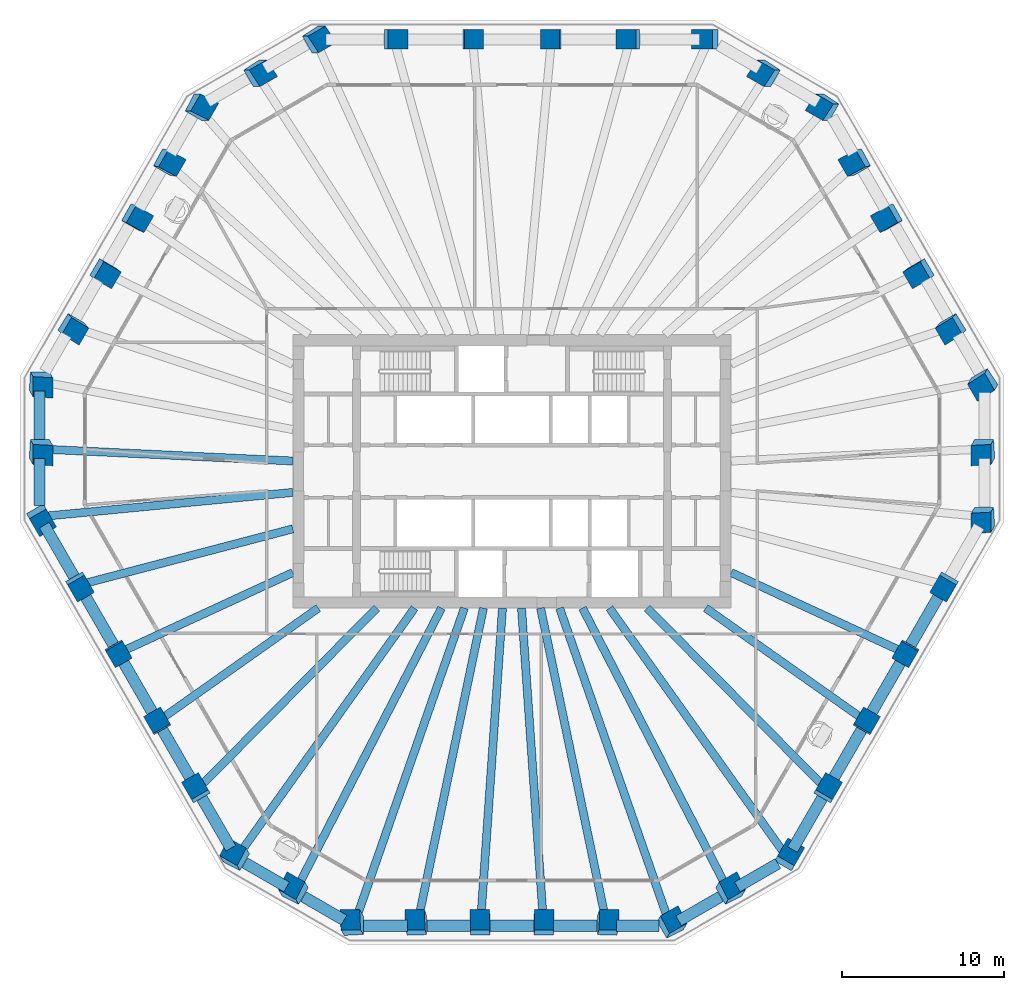
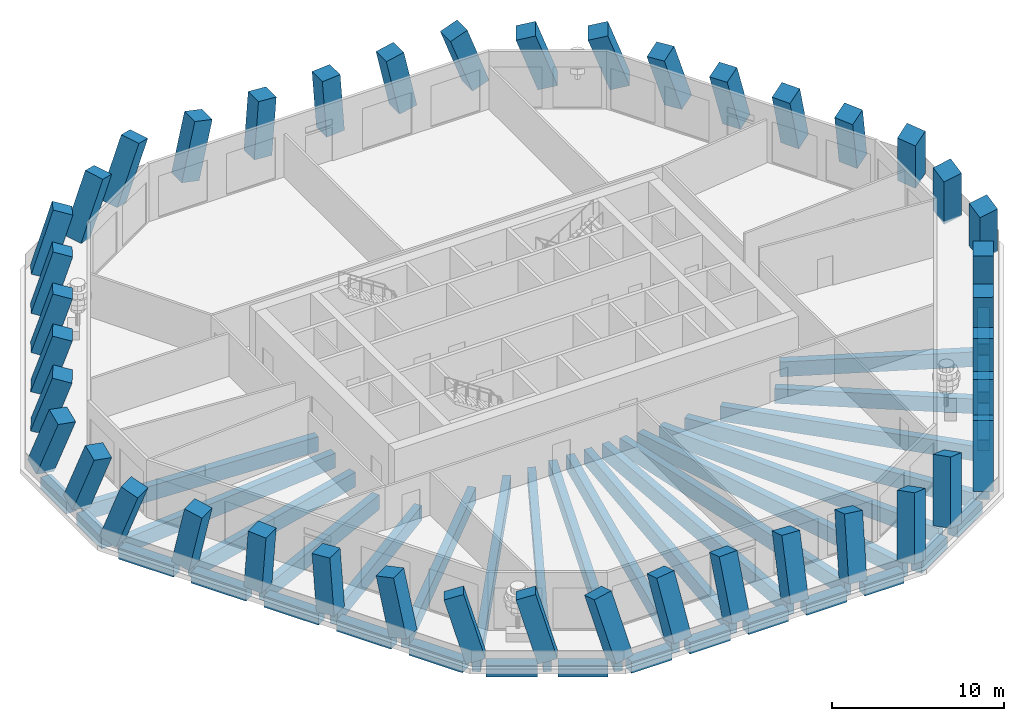
# One storey, part 1 of 11: 42 columns, 39 beams.
"""IFC4 building model written with IfcOpenShell, lengths in metres."""

from ifc_helpers import new_model, si_unit, direction, frame, origin, origin_2d, place, context, subcontext, project, spatial, rectangle, extrude, material, material_profile, profile_set, type_object, element, save


model = new_model("IFC4")

# Units and contexts
model_context = context("Model", 3, precision=1e-05, world=origin(), true_north=direction((0.0, 1.0)))
body_context = subcontext(model_context, "Body", "Model", "MODEL_VIEW")
ifc_project = project(units=[si_unit("LENGTHUNIT", "METRE"), si_unit("AREAUNIT", "SQUARE_METRE"), si_unit("VOLUMEUNIT", "CUBIC_METRE"), si_unit("PLANEANGLEUNIT", "RADIAN"), si_unit("MASSUNIT", "GRAM", prefix="KILO")], contexts=[model_context])

# Site, building, storey
site_placement = place(None, origin())
site = spatial("IfcSite", under=ifc_project, at=site_placement, CompositionType="ELEMENT")
building_placement = place(site_placement, origin())
building = spatial("IfcBuilding", under=site, at=building_placement, Name="Frailejon Research Tower", CompositionType="ELEMENT")
storey_placement = place(building_placement, frame((0.0, 0.0, 198.0)))
storey = spatial("IfcBuildingStorey", under=building, at=storey_placement, Name="L43", CompositionType="ELEMENT", Elevation=198.0)

# Columns
ifc_material_1 = material(Name="Concrete C60/75", Category="concrete")
ifc_material_profile_1 = material_profile(ifc_material_1, rectangle(XDim=1.199951171875, YDim=1.199951171875, at=origin_2d()), Name="Column 1200")
ifc_profile_set_1 = profile_set([ifc_material_profile_1], Name="Concrete C60/75")
column_type = type_object("IfcColumnType", Name="Column 1200", PredefinedType="COLUMN", material=ifc_profile_set_1)
for number, where, z_axis, x_axis, name in (
    (1, (29.211181640625, -2.8046875, 0.0), (-0.170585157577, -0.29544235916, 0.940007721473), (-0.052685125337, 0.955360564435, 0.290706844588), "Column C01"),
    (2, (29.211181640625, 1.3828125, 0.0), (-0.170585157577, -0.29544235916, 0.940007721473), (-0.052685125337, 0.955360564435, 0.290706844588), "Column C02"),
    (3, (29.211181640625, 5.5703125, 0.0), (-0.170588020232, -0.295390511225, 0.940023496106), (-0.536861857237, 0.827831363108, 0.162710111849), "Column C03"),
):
    element("IfcColumn", number, at=place(storey_placement, frame(where, z_axis=z_axis, x_axis=x_axis)), inside=storey, type_object=column_type, Name=name, PredefinedType="COLUMN", context=body_context, shape_type="SweptSolid", body=[
        extrude(rectangle(XDim=1.199951171875, YDim=1.199951171875, at=origin_2d()), origin(), (0.0, 0.0, 1.0), 4.2978515625),
    ])
column_1_placement = place(storey_placement, frame((27.2548828125, 8.958740234375, 0.0), z_axis=(-0.206606302498, -0.238581087409, 0.9488903522), x_axis=(-0.524170547966, 0.845891471379, 0.09855381927)))
element("IfcColumn", 4, at=column_1_placement, inside=storey, type_object=column_type, Name="Column C04", PredefinedType="COLUMN", context=body_context, shape_type="SweptSolid", body=[
    extrude(rectangle(XDim=1.199951171875, YDim=1.199951171875, at=origin_2d()), origin(), (0.0, 0.0, 1.0), 4.268310546875),
])
for number, where, z_axis, x_axis, name in (
    (5, (25.298583984375, 12.34716796875, 0.0), (-0.242193067254, -0.17977691371, 0.953426861102), (-0.508628610196, 0.860352489456, 0.033023185463), "Column C05"),
    (6, (23.34228515625, 15.735595703125, 0.0), (-0.276792579271, -0.119832335502, 0.953428591678), (-0.490652102014, 0.870730287054, -0.033004272397), "Column C06"),
):
    element("IfcColumn", number, at=place(storey_placement, frame(where, z_axis=z_axis, x_axis=x_axis)), inside=storey, type_object=column_type, Name=name, PredefinedType="COLUMN", context=body_context, shape_type="SweptSolid", body=[
        extrude(rectangle(XDim=1.199951171875, YDim=1.199951171875, at=origin_2d()), origin(), (0.0, 0.0, 1.0), 4.247802734375),
    ])
column_2_placement = place(storey_placement, frame((21.385986328125, 19.1240234375, 0.0), z_axis=(-0.309910068217, -0.059659690135, 0.948892233602), x_axis=(-0.470578368631, 0.876836033094, -0.09856251846)))
element("IfcColumn", 7, at=column_2_placement, inside=storey, type_object=column_type, Name="Column C07", PredefinedType="COLUMN", context=body_context, shape_type="SweptSolid", body=[
    extrude(rectangle(XDim=1.199951171875, YDim=1.199951171875, at=origin_2d()), origin(), (0.0, 0.0, 1.0), 4.26806640625),
])
for number, where, z_axis, x_axis, name in (
    (8, (19.4296875, 22.512451171875, 0.0), (-0.341168319262, 0.0, 0.940002222302), (-0.800987769493, 0.523358442363, -0.290713835121), "Column C08"),
    (9, (15.802978515625, 24.606201171875, 0.0), (-0.341118125037, 0.0, 0.940020438486), (-0.801003291734, 0.523358442363, -0.290671063987), "Column C09"),
    (10, (12.176513671875, 26.699951171875, 0.0), (-0.341118125037, 0.0, 0.940020438486), (-0.940020438486, 0.0, -0.341118125037), "Column C10"),
):
    element("IfcColumn", number, at=place(storey_placement, frame(where, z_axis=z_axis, x_axis=x_axis)), inside=storey, type_object=column_type, Name=name, PredefinedType="COLUMN", context=body_context, shape_type="SweptSolid", body=[
        extrude(rectangle(XDim=1.199951171875, YDim=1.199951171875, at=origin_2d()), origin(), (0.0, 0.0, 1.0), 4.2978515625),
    ])
column_3_placement = place(storey_placement, frame((7.305908203125, 26.699951171875, 0.0), z_axis=(-0.212745864356, 0.0, 0.977107566852), x_axis=(-0.977107566852, 0.0, -0.212745864356)))
element("IfcColumn", 11, at=column_3_placement, inside=storey, type_object=column_type, Name="Column C11", PredefinedType="COLUMN", context=body_context, shape_type="SweptSolid", body=[
    extrude(rectangle(XDim=1.199951171875, YDim=1.199951171875, at=origin_2d()), origin(), (0.0, 0.0, 1.0), 4.134765625),
])
for number, where, z_axis, x_axis, name in (
    (12, (2.435302734375, 26.699951171875, 0.0), (-0.072386353459, 0.0, 0.997376666978), (-0.997376666978, 0.0, -0.072386353459), "Column C12"),
    (13, (-2.435302734375, 26.699951171875, 0.0), (0.072386353459, 0.0, 0.997376666978), (-0.997376666978, 0.0, 0.072386353459), "Column C13"),
):
    element("IfcColumn", number, at=place(storey_placement, frame(where, z_axis=z_axis, x_axis=x_axis)), inside=storey, type_object=column_type, Name=name, PredefinedType="COLUMN", context=body_context, shape_type="SweptSolid", body=[
        extrude(rectangle(XDim=1.199951171875, YDim=1.199951171875, at=origin_2d()), origin(), (0.0, 0.0, 1.0), 4.05078125),
    ])
column_4_placement = place(storey_placement, frame((-7.305908203125, 26.699951171875, 0.0), z_axis=(0.212745864356, 0.0, 0.977107566852), x_axis=(-0.977107566852, 0.0, 0.212745864356)))
element("IfcColumn", 14, at=column_4_placement, inside=storey, type_object=column_type, Name="Column C14", PredefinedType="COLUMN", context=body_context, shape_type="SweptSolid", body=[
    extrude(rectangle(XDim=1.199951171875, YDim=1.199951171875, at=origin_2d()), origin(), (0.0, 0.0, 1.0), 4.134765625),
])
for number, where, z_axis, x_axis, name in (
    (15, (-12.176513671875, 26.699951171875, 0.0), (0.341118125037, 0.0, 0.940020438486), (-0.80100500902, -0.523355467925, 0.290671687162), "Column C15"),
    (16, (-15.802978515625, 24.606201171875, 0.0), (0.341118125037, 0.0, 0.940020438486), (-0.801003291734, -0.523358442363, 0.290671063987), "Column C16"),
    (17, (-19.4296875, 22.512451171875, 0.0), (0.341168319262, 0.0, 0.940002222302), (-0.448380340539, -0.878903709295, 0.16273702715), "Column C17"),
):
    element("IfcColumn", number, at=place(storey_placement, frame(where, z_axis=z_axis, x_axis=x_axis)), inside=storey, type_object=column_type, Name=name, PredefinedType="COLUMN", context=body_context, shape_type="SweptSolid", body=[
        extrude(rectangle(XDim=1.199951171875, YDim=1.199951171875, at=origin_2d()), origin(), (0.0, 0.0, 1.0), 4.2978515625),
    ])
column_5_placement = place(storey_placement, frame((-21.385986328125, 19.1240234375, 0.0), z_axis=(0.309910068217, -0.059659690135, 0.948892233602), x_axis=(-0.470578368631, -0.876836033094, 0.09856251846)))
element("IfcColumn", 18, at=column_5_placement, inside=storey, type_object=column_type, Name="Column C18", PredefinedType="COLUMN", context=body_context, shape_type="SweptSolid", body=[
    extrude(rectangle(XDim=1.199951171875, YDim=1.199951171875, at=origin_2d()), origin(), (0.0, 0.0, 1.0), 4.26806640625),
])
for number, where, z_axis, x_axis, name in (
    (19, (-23.34228515625, 15.735595703125, 0.0), (0.276792579271, -0.119832335502, 0.953428591678), (-0.490652102014, -0.870730287054, 0.033004272397), "Column C19"),
    (20, (-25.298583984375, 12.34716796875, 0.0), (0.242193067254, -0.17977691371, 0.953426861102), (-0.508628610196, -0.860352489456, -0.033023185463), "Column C20"),
):
    element("IfcColumn", number, at=place(storey_placement, frame(where, z_axis=z_axis, x_axis=x_axis)), inside=storey, type_object=column_type, Name=name, PredefinedType="COLUMN", context=body_context, shape_type="SweptSolid", body=[
        extrude(rectangle(XDim=1.199951171875, YDim=1.199951171875, at=origin_2d()), origin(), (0.0, 0.0, 1.0), 4.247802734375),
    ])
column_6_placement = place(storey_placement, frame((-27.2548828125, 8.958740234375, 0.0), z_axis=(0.206606302498, -0.238581087409, 0.9488903522), x_axis=(-0.524170547966, -0.845891471379, -0.09855381927)))
element("IfcColumn", 21, at=column_6_placement, inside=storey, type_object=column_type, Name="Column C21", PredefinedType="COLUMN", context=body_context, shape_type="SweptSolid", body=[
    extrude(rectangle(XDim=1.199951171875, YDim=1.199951171875, at=origin_2d()), origin(), (0.0, 0.0, 1.0), 4.268310546875),
])
for number, where, z_axis, x_axis, name in (
    (22, (-29.211181640625, 5.5703125, 0.0), (0.170588020232, -0.295390511225, 0.940023496106), (-0.052628043506, -0.955376592381, -0.290664507236), "Column C22"),
    (23, (-29.211181640625, 1.3828125, 0.0), (0.170585157577, -0.29544235916, 0.940007721473), (-0.052685125337, -0.955360564435, -0.290706844588), "Column C23"),
    (24, (-29.211181640625, -2.8046875, 0.0), (0.170585157577, -0.29544235916, 0.940007721473), (0.470057714362, -0.814039471856, -0.341153167111), "Column C24"),
):
    element("IfcColumn", number, at=place(storey_placement, frame(where, z_axis=z_axis, x_axis=x_axis)), inside=storey, type_object=column_type, Name=name, PredefinedType="COLUMN", context=body_context, shape_type="SweptSolid", body=[
        extrude(rectangle(XDim=1.199951171875, YDim=1.199951171875, at=origin_2d()), origin(), (0.0, 0.0, 1.0), 4.2978515625),
    ])
column_7_placement = place(storey_placement, frame((-26.77587890625, -7.02294921875, 0.0), z_axis=(0.106402456539, -0.184226228858, 0.977107575369), x_axis=(0.488665296242, -0.846135593228, -0.212745825157)))
element("IfcColumn", 25, at=column_7_placement, inside=storey, type_object=column_type, Name="Column C25", PredefinedType="COLUMN", context=body_context, shape_type="SweptSolid", body=[
    extrude(rectangle(XDim=1.199951171875, YDim=1.199951171875, at=origin_2d()), origin(), (0.0, 0.0, 1.0), 4.134765625),
])
for number, where, z_axis, x_axis, name in (
    (26, (-24.340576171875, -11.240966796875, 0.0), (0.036163093475, -0.062682695358, 0.997378118054), (0.498499920841, -0.86386395882, -0.07236635664), "Column C26"),
    (27, (-21.9052734375, -15.458984375, 0.0), (-0.036163093475, 0.062682695358, 0.997378118054), (0.498264078575, -0.864000010722, 0.072366355952), "Column C27"),
):
    element("IfcColumn", number, at=place(storey_placement, frame(where, z_axis=z_axis, x_axis=x_axis)), inside=storey, type_object=column_type, Name=name, PredefinedType="COLUMN", context=body_context, shape_type="SweptSolid", body=[
        extrude(rectangle(XDim=1.199951171875, YDim=1.199951171875, at=origin_2d()), origin(), (0.0, 0.0, 1.0), 4.05078125),
    ])
column_8_placement = place(storey_placement, frame((-19.469970703125, -19.677001953125, 0.0), z_axis=(-0.106344077619, 0.184227385992, 0.977113712628), x_axis=(0.488464961789, -0.846258346219, 0.21271763575)))
element("IfcColumn", 28, at=column_8_placement, inside=storey, type_object=column_type, Name="Column C28", PredefinedType="COLUMN", context=body_context, shape_type="SweptSolid", body=[
    extrude(rectangle(XDim=1.199951171875, YDim=1.199951171875, at=origin_2d()), origin(), (0.0, 0.0, 1.0), 4.134765625),
])
for number, where, z_axis, x_axis, name in (
    (29, (-17.03466796875, -23.895263671875, 0.0), (-0.170530004844, 0.295445221584, 0.940016828834), (0.853708362876, -0.432077398315, 0.29067361941), "Column C29"),
    (30, (-13.408203125, -25.989013671875, 0.0), (-0.170530004844, 0.295445221584, 0.940016828834), (0.853708362876, -0.432077398315, 0.29067361941), "Column C30"),
    (31, (-9.781494140625, -28.082763671875, 0.0), (-0.170585157577, 0.29544235916, 0.940007721473), (0.985342937257, 0.051151097258, 0.162735556185), "Column C31"),
):
    element("IfcColumn", number, at=place(storey_placement, frame(where, z_axis=z_axis, x_axis=x_axis)), inside=storey, type_object=column_type, Name=name, PredefinedType="COLUMN", context=body_context, shape_type="SweptSolid", body=[
        extrude(rectangle(XDim=1.199951171875, YDim=1.199951171875, at=origin_2d()), origin(), (0.0, 0.0, 1.0), 4.2978515625),
    ])
column_9_placement = place(storey_placement, frame((-5.868896484375, -28.082763671875, 0.0), z_axis=(-0.103304297058, 0.298186766646, 0.948900877018), x_axis=(0.994649798047, 0.031006245424, 0.09854132123)))
element("IfcColumn", 32, at=column_9_placement, inside=storey, type_object=column_type, Name="Column C32", PredefinedType="COLUMN", context=body_context, shape_type="SweptSolid", body=[
    extrude(rectangle(XDim=1.199951171875, YDim=1.199951171875, at=origin_2d()), origin(), (0.0, 0.0, 1.0), 4.26806640625),
])
for number, where, z_axis, x_axis, name in (
    (33, (-1.956298828125, -28.082763671875, 0.0), (-0.034599261443, 0.299611212459, 0.953433800783), (0.999401266279, 0.010364738049, 0.033010319058), "Column C33"),
    (34, (1.956298828125, -28.082763671875, 0.0), (0.034599261443, 0.299611212459, 0.953433800783), (0.999401266279, -0.010364738049, -0.033010319058), "Column C34"),
):
    element("IfcColumn", number, at=place(storey_placement, frame(where, z_axis=z_axis, x_axis=x_axis)), inside=storey, type_object=column_type, Name=name, PredefinedType="COLUMN", context=body_context, shape_type="SweptSolid", body=[
        extrude(rectangle(XDim=1.199951171875, YDim=1.199951171875, at=origin_2d()), origin(), (0.0, 0.0, 1.0), 4.247802734375),
    ])
column_10_placement = place(storey_placement, frame((5.868896484375, -28.082763671875, 0.0), z_axis=(0.103304297058, 0.298186766646, 0.948900877018), x_axis=(0.994649798047, -0.031006245424, -0.09854132123)))
element("IfcColumn", 35, at=column_10_placement, inside=storey, type_object=column_type, Name="Column C35", PredefinedType="COLUMN", context=body_context, shape_type="SweptSolid", body=[
    extrude(rectangle(XDim=1.199951171875, YDim=1.199951171875, at=origin_2d()), origin(), (0.0, 0.0, 1.0), 4.26806640625),
])
for number, where, z_axis, x_axis, name in (
    (36, (9.781494140625, -28.082763671875, 0.0), (0.170585157577, 0.29544235916, 0.940007721473), (0.853740167051, 0.431993664162, -0.290704663341), "Column C36"),
    (37, (13.408203125, -25.989013671875, 0.0), (0.170530004844, 0.295445221584, 0.940016828834), (0.853708362876, 0.432077398315, -0.29067361941), "Column C37"),
    (38, (17.03466796875, -23.895263671875, 0.0), (0.170530004844, 0.295445221584, 0.940016828834), (0.469944869442, 0.814115138244, -0.341128071796), "Column C38"),
):
    element("IfcColumn", number, at=place(storey_placement, frame(where, z_axis=z_axis, x_axis=x_axis)), inside=storey, type_object=column_type, Name=name, PredefinedType="COLUMN", context=body_context, shape_type="SweptSolid", body=[
        extrude(rectangle(XDim=1.199951171875, YDim=1.199951171875, at=origin_2d()), origin(), (0.0, 0.0, 1.0), 4.2978515625),
    ])
column_11_placement = place(storey_placement, frame((19.469970703125, -19.677001953125, 0.0), z_axis=(0.106344077619, 0.184227385992, 0.977113712628), x_axis=(0.488464961789, 0.846258346219, -0.21271763575)))
element("IfcColumn", 39, at=column_11_placement, inside=storey, type_object=column_type, Name="Column C39", PredefinedType="COLUMN", context=body_context, shape_type="SweptSolid", body=[
    extrude(rectangle(XDim=1.199951171875, YDim=1.199951171875, at=origin_2d()), origin(), (0.0, 0.0, 1.0), 4.134765625),
])
for number, where, z_axis, x_axis, name in (
    (40, (21.9052734375, -15.458984375, 0.0), (0.036163093475, 0.062682695358, 0.997378118054), (0.498264078575, 0.864000010722, -0.072366355952), "Column C40"),
    (41, (24.340576171875, -11.240966796875, 0.0), (-0.036163093475, -0.062682695358, 0.997378118054), (0.498499920841, 0.86386395882, 0.07236635664), "Column C41"),
):
    element("IfcColumn", number, at=place(storey_placement, frame(where, z_axis=z_axis, x_axis=x_axis)), inside=storey, type_object=column_type, Name=name, PredefinedType="COLUMN", context=body_context, shape_type="SweptSolid", body=[
        extrude(rectangle(XDim=1.199951171875, YDim=1.199951171875, at=origin_2d()), origin(), (0.0, 0.0, 1.0), 4.05078125),
    ])
column_12_placement = place(storey_placement, frame((26.77587890625, -7.02294921875, 0.0), z_axis=(-0.106402456539, -0.184226228858, 0.977107575369), x_axis=(0.488665296242, 0.846135593228, 0.212745825157)))
element("IfcColumn", 42, at=column_12_placement, inside=storey, type_object=column_type, Name="Column C42", PredefinedType="COLUMN", context=body_context, shape_type="SweptSolid", body=[
    extrude(rectangle(XDim=1.199951171875, YDim=1.199951171875, at=origin_2d()), origin(), (0.0, 0.0, 1.0), 4.134765625),
])

# Beams
ifc_material_2 = material(Name="Concrete C60/75", Category="concrete")
ifc_material_profile_2 = material_profile(ifc_material_2, rectangle(XDim=0.5, YDim=1.050048828125, at=origin_2d()), Name="Girder 500x1050")
ifc_profile_set_2 = profile_set([ifc_material_profile_2], Name="Concrete C60/75")
beam_type_1 = type_object("IfcBeamType", Name="Girder 500x1050", PredefinedType="BEAM", material=ifc_profile_set_2)
beam_1_placement = place(storey_placement, frame((-28.760986328125, 1.361572265625, -0.824951171875), z_axis=(0.998880941735, -0.047295499135, 0.0), x_axis=(0.047295499135, 0.998880941735, 0.0)))
element("IfcBeam", 43, at=beam_1_placement, inside=storey, type_object=beam_type_1, Name="Girder 500x1050", PredefinedType="BEAM", context=body_context, shape_type="SweptSolid", body=[
    extrude(rectangle(XDim=0.5, YDim=1.050048828125, at=origin_2d()), origin(), (0.0, 0.0, 1.0), 15.22802734375),
])
beam_2_placement = place(storey_placement, frame((-28.7041015625, -2.756103515625, -0.824951171875), z_axis=(0.995421801499, 0.095579480545, 0.0), x_axis=(-0.095579480545, 0.995421801499, 0.0)))
element("IfcBeam", 44, at=beam_2_placement, inside=storey, type_object=beam_type_1, Name="Girder 500x1050", PredefinedType="BEAM", context=body_context, shape_type="SweptSolid", body=[
    extrude(rectangle(XDim=0.5, YDim=1.050048828125, at=origin_2d()), origin(), (0.0, 0.0, 1.0), 15.2236328125),
])
beam_3_placement = place(storey_placement, frame((-26.319091796875, -6.903076171875, -0.824951171875), z_axis=(0.967282154097, 0.253703043668, 0.0), x_axis=(-0.253703043668, 0.967282154097, 0.0)))
element("IfcBeam", 45, at=beam_3_placement, inside=storey, type_object=beam_type_1, Name="Girder 500x1050", PredefinedType="BEAM", context=body_context, shape_type="SweptSolid", body=[
    extrude(rectangle(XDim=0.5, YDim=1.050048828125, at=origin_2d()), origin(), (0.0, 0.0, 1.0), 13.200927734375),
])
beam_4_placement = place(storey_placement, frame((-23.9296875, -11.05126953125, -0.824951171875), z_axis=(0.90786436201, 0.419263998206, 0.0), x_axis=(-0.419263998206, 0.90786436201, 0.0)))
element("IfcBeam", 46, at=beam_4_placement, inside=storey, type_object=beam_type_1, Name="Girder 500x1050", PredefinedType="BEAM", context=body_context, shape_type="SweptSolid", body=[
    extrude(rectangle(XDim=0.5, YDim=1.050048828125, at=origin_2d()), origin(), (0.0, 0.0, 1.0), 11.43310546875),
])
beam_5_placement = place(storey_placement, frame((-21.535400390625, -15.197998046875, -0.824951171875), z_axis=(0.817032608379, 0.576591464423, 0.0), x_axis=(-0.576591464423, 0.817032608379, 0.0)))
element("IfcBeam", 47, at=beam_5_placement, inside=storey, type_object=beam_type_1, Name="Girder 500x1050", PredefinedType="BEAM", context=body_context, shape_type="SweptSolid", body=[
    extrude(rectangle(XDim=0.5, YDim=1.050048828125, at=origin_2d()), origin(), (0.0, 0.0, 1.0), 11.703369140625),
])
beam_6_placement = place(storey_placement, frame((-19.137939453125, -19.341552734375, -0.824951171875), z_axis=(0.703352409906, 0.7108413237, 0.0), x_axis=(-0.7108413237, 0.703352409906, 0.0)))
element("IfcBeam", 48, at=beam_6_placement, inside=storey, type_object=beam_type_1, Name="Girder 500x1050", PredefinedType="BEAM", context=body_context, shape_type="SweptSolid", body=[
    extrude(rectangle(XDim=0.5, YDim=1.050048828125, at=origin_2d()), origin(), (0.0, 0.0, 1.0), 15.322021484375),
])
beam_7_placement = place(storey_placement, frame((-16.771728515625, -23.526611328125, -0.824951171875), z_axis=(0.580478331668, 0.814275694383, 0.0), x_axis=(-0.814275694383, 0.580478331668, 0.0)))
element("IfcBeam", 49, at=beam_7_placement, inside=storey, type_object=beam_type_1, Name="Girder 500x1050", PredefinedType="BEAM", context=body_context, shape_type="SweptSolid", body=[
    extrude(rectangle(XDim=0.5, YDim=1.050048828125, at=origin_2d()), origin(), (0.0, 0.0, 1.0), 18.515380859375),
])
beam_8_placement = place(storey_placement, frame((-13.201416015625, -25.58837890625, -0.824951171875), z_axis=(0.458485544695, 0.888701865254, 0.0), x_axis=(-0.888701865254, 0.458485544695, 0.0)))
element("IfcBeam", 50, at=beam_8_placement, inside=storey, type_object=beam_type_1, Name="Girder 500x1050", PredefinedType="BEAM", context=body_context, shape_type="SweptSolid", body=[
    extrude(rectangle(XDim=0.5, YDim=1.050048828125, at=origin_2d()), origin(), (0.0, 0.0, 1.0), 19.28466796875),
])
beam_9_placement = place(storey_placement, frame((-9.621826171875, -27.62451171875, -0.824951171875), z_axis=(0.328929127062, 0.944354609969, 0.0), x_axis=(-0.944354609969, 0.328929127062, 0.0)))
element("IfcBeam", 51, at=beam_9_placement, inside=storey, type_object=beam_type_1, Name="Girder 500x1050", PredefinedType="BEAM", context=body_context, shape_type="SweptSolid", body=[
    extrude(rectangle(XDim=0.5, YDim=1.050048828125, at=origin_2d()), origin(), (0.0, 0.0, 1.0), 20.304443359375),
])
beam_10_placement = place(storey_placement, frame((-5.774169921875, -27.629638671875, -0.824951171875), z_axis=(0.204567218068, 0.978852518663, 0.0), x_axis=(-0.978852518663, 0.204567218068, 0.0)))
element("IfcBeam", 52, at=beam_10_placement, inside=storey, type_object=beam_type_1, Name="Girder 500x1050", PredefinedType="BEAM", context=body_context, shape_type="SweptSolid", body=[
    extrude(rectangle(XDim=0.5, YDim=1.050048828125, at=origin_2d()), origin(), (0.0, 0.0, 1.0), 19.593994140625),
])
for number, where, z_axis, x_axis, name in (
    (53, (-1.9248046875, -27.63232421875, -0.824951171875), (0.06948836665, 0.99758276193, 0.0), (-0.99758276193, 0.06948836665, 0.0), "Girder 500x1050"),
    (54, (1.9248046875, -27.63232421875, -0.824951171875), (-0.06948836665, 0.99758276193, 0.0), (-0.99758276193, -0.06948836665, 0.0), "Girder 500x1050"),
):
    element("IfcBeam", number, at=place(storey_placement, frame(where, z_axis=z_axis, x_axis=x_axis)), inside=storey, type_object=beam_type_1, Name=name, PredefinedType="BEAM", context=body_context, shape_type="SweptSolid", body=[
        extrude(rectangle(XDim=0.5, YDim=1.050048828125, at=origin_2d()), origin(), (0.0, 0.0, 1.0), 19.228759765625),
    ])
beam_11_placement = place(storey_placement, frame((5.774169921875, -27.629638671875, -0.824951171875), z_axis=(-0.204567218068, 0.978852518663, 0.0), x_axis=(-0.978852518663, -0.204567218068, 0.0)))
element("IfcBeam", 55, at=beam_11_placement, inside=storey, type_object=beam_type_1, Name="Girder 500x1050", PredefinedType="BEAM", context=body_context, shape_type="SweptSolid", body=[
    extrude(rectangle(XDim=0.5, YDim=1.050048828125, at=origin_2d()), origin(), (0.0, 0.0, 1.0), 19.593994140625),
])
beam_12_placement = place(storey_placement, frame((9.6298828125, -27.647705078125, -0.824951171875), z_axis=(-0.328928167992, 0.944354944023, 0.0), x_axis=(-0.944354944023, -0.328928167992, 0.0)))
element("IfcBeam", 56, at=beam_12_placement, inside=storey, type_object=beam_type_1, Name="Girder 500x1050", PredefinedType="BEAM", context=body_context, shape_type="SweptSolid", body=[
    extrude(rectangle(XDim=0.5, YDim=1.050048828125, at=origin_2d()), origin(), (0.0, 0.0, 1.0), 20.328857421875),
])
beam_13_placement = place(storey_placement, frame((13.201416015625, -25.58837890625, -0.824951171875), z_axis=(-0.458485544695, 0.888701865254, 0.0), x_axis=(-0.888701865254, -0.458485544695, 0.0)))
element("IfcBeam", 57, at=beam_13_placement, inside=storey, type_object=beam_type_1, Name="Girder 500x1050", PredefinedType="BEAM", context=body_context, shape_type="SweptSolid", body=[
    extrude(rectangle(XDim=0.5, YDim=1.050048828125, at=origin_2d()), origin(), (0.0, 0.0, 1.0), 19.28466796875),
])
beam_14_placement = place(storey_placement, frame((16.739013671875, -23.48046875, -0.824951171875), z_axis=(-0.580484766177, 0.814271107332, 0.0), x_axis=(-0.814271107332, -0.580484766177, 0.0)))
element("IfcBeam", 58, at=beam_14_placement, inside=storey, type_object=beam_type_1, Name="Girder 500x1050", PredefinedType="BEAM", context=body_context, shape_type="SweptSolid", body=[
    extrude(rectangle(XDim=0.5, YDim=1.050048828125, at=origin_2d()), origin(), (0.0, 0.0, 1.0), 18.458740234375),
])
beam_15_placement = place(storey_placement, frame((19.137939453125, -19.341552734375, -0.824951171875), z_axis=(-0.703352409906, 0.7108413237, 0.0), x_axis=(-0.7108413237, -0.703352409906, 0.0)))
element("IfcBeam", 59, at=beam_15_placement, inside=storey, type_object=beam_type_1, Name="Girder 500x1050", PredefinedType="BEAM", context=body_context, shape_type="SweptSolid", body=[
    extrude(rectangle(XDim=0.5, YDim=1.050048828125, at=origin_2d()), origin(), (0.0, 0.0, 1.0), 15.322021484375),
])
beam_16_placement = place(storey_placement, frame((21.535400390625, -15.197998046875, -0.824951171875), z_axis=(-0.817032608379, 0.576591464423, 0.0), x_axis=(-0.576591464423, -0.817032608379, 0.0)))
element("IfcBeam", 60, at=beam_16_placement, inside=storey, type_object=beam_type_1, Name="Girder 500x1050", PredefinedType="BEAM", context=body_context, shape_type="SweptSolid", body=[
    extrude(rectangle(XDim=0.5, YDim=1.050048828125, at=origin_2d()), origin(), (0.0, 0.0, 1.0), 11.703369140625),
])
beam_17_placement = place(storey_placement, frame((23.9296875, -11.05126953125, -0.824951171875), z_axis=(-0.90786436201, 0.419263998206, 0.0), x_axis=(-0.419263998206, -0.90786436201, 0.0)))
element("IfcBeam", 61, at=beam_17_placement, inside=storey, type_object=beam_type_1, Name="Girder 500x1050", PredefinedType="BEAM", context=body_context, shape_type="SweptSolid", body=[
    extrude(rectangle(XDim=0.5, YDim=1.050048828125, at=origin_2d()), origin(), (0.0, 0.0, 1.0), 11.43310546875),
])
ifc_material_3 = material(Name="Concrete C60/75", Category="concrete")
ifc_material_profile_3 = material_profile(ifc_material_3, rectangle(XDim=0.699951171875, YDim=0.800048828125, at=origin_2d()), Name="Spandrel 700x800")
ifc_profile_set_3 = profile_set([ifc_material_profile_3], Name="Concrete C60/75")
beam_type_2 = type_object("IfcBeamType", Name="Spandrel 700x800", PredefinedType="BEAM", material=ifc_profile_set_3)
beam_18_placement = place(storey_placement, frame((-29.211181640625, 4.97021484375, -0.75), z_axis=(0.0, -1.0, 0.0), x_axis=(1.0, 0.0, 0.0)))
element("IfcBeam", 62, at=beam_18_placement, inside=storey, type_object=beam_type_2, Name="Spandrel 700x800", PredefinedType="BEAM", context=body_context, shape_type="SweptSolid", body=[
    extrude(rectangle(XDim=0.699951171875, YDim=0.800048828125, at=origin_2d()), origin(), (0.0, 0.0, 1.0), 2.9873046875),
])
beam_19_placement = place(storey_placement, frame((-29.211181640625, 0.78271484375, -0.75), z_axis=(0.0, -1.0, 0.0), x_axis=(1.0, 0.0, 0.0)))
element("IfcBeam", 63, at=beam_19_placement, inside=storey, type_object=beam_type_2, Name="Spandrel 700x800", PredefinedType="BEAM", context=body_context, shape_type="SweptSolid", body=[
    extrude(rectangle(XDim=0.699951171875, YDim=0.800048828125, at=origin_2d()), origin(), (0.0, 0.0, 1.0), 2.894775390625),
])
for number, where, z_axis, x_axis, name in (
    (64, (-28.9111328125, -3.324462890625, -0.75), (0.50001606911, -0.866016126081, 0.0), (0.866016126081, 0.50001606911, 0.0), "Spandrel 700x800"),
    (65, (-26.475830078125, -7.54248046875, -0.75), (0.50001606911, -0.866016126081, 0.0), (0.866016126081, 0.50001606911, 0.0), "Spandrel 700x800"),
    (66, (-24.04052734375, -11.760498046875, -0.75), (0.50001606911, -0.866016126081, 0.0), (0.866016126081, 0.50001606911, 0.0), "Spandrel 700x800"),
):
    element("IfcBeam", number, at=place(storey_placement, frame(where, z_axis=z_axis, x_axis=x_axis)), inside=storey, type_object=beam_type_2, Name=name, PredefinedType="BEAM", context=body_context, shape_type="SweptSolid", body=[
        extrude(rectangle(XDim=0.699951171875, YDim=0.800048828125, at=origin_2d()), origin(), (0.0, 0.0, 1.0), 3.6708984375),
    ])
beam_20_placement = place(storey_placement, frame((-21.605224609375, -15.978515625, -0.75), z_axis=(0.4999661858, -0.866044925542, 0.0), x_axis=(0.866044925542, 0.4999661858, 0.0)))
element("IfcBeam", 67, at=beam_20_placement, inside=storey, type_object=beam_type_2, Name="Spandrel 700x800", PredefinedType="BEAM", context=body_context, shape_type="SweptSolid", body=[
    extrude(rectangle(XDim=0.699951171875, YDim=0.800048828125, at=origin_2d()), origin(), (0.0, 0.0, 1.0), 3.670654296875),
])
beam_21_placement = place(storey_placement, frame((-19.169921875, -20.19677734375, -0.75), z_axis=(0.499992207027, -0.866029903013, 0.0), x_axis=(0.866029903013, 0.499992207027, 0.0)))
element("IfcBeam", 68, at=beam_21_placement, inside=storey, type_object=beam_type_2, Name="Spandrel 700x800", PredefinedType="BEAM", context=body_context, shape_type="SweptSolid", body=[
    extrude(rectangle(XDim=0.699951171875, YDim=0.800048828125, at=origin_2d()), origin(), (0.0, 0.0, 1.0), 3.57763671875),
])
beam_22_placement = place(storey_placement, frame((-16.514892578125, -24.1953125, -0.75), z_axis=(0.86603180189, -0.499988917992, 0.0), x_axis=(0.499988917992, 0.86603180189, 0.0)))
element("IfcBeam", 69, at=beam_22_placement, inside=storey, type_object=beam_type_2, Name="Spandrel 700x800", PredefinedType="BEAM", context=body_context, shape_type="SweptSolid", body=[
    extrude(rectangle(XDim=0.699951171875, YDim=0.800048828125, at=origin_2d()), origin(), (0.0, 0.0, 1.0), 2.9873046875),
])
beam_23_placement = place(storey_placement, frame((-12.888427734375, -26.2890625, -0.75), z_axis=(0.866033897268, -0.499985288567, 0.0), x_axis=(0.499985288567, 0.866033897268, 0.0)))
element("IfcBeam", 70, at=beam_23_placement, inside=storey, type_object=beam_type_2, Name="Spandrel 700x800", PredefinedType="BEAM", context=body_context, shape_type="SweptSolid", body=[
    extrude(rectangle(XDim=0.699951171875, YDim=0.800048828125, at=origin_2d()), origin(), (0.0, 0.0, 1.0), 2.89453125),
])
for number, where, z_axis, x_axis, name in (
    (71, (-9.181396484375, -28.082763671875, -0.75), (1.0, 0.0, 0.0), (0.0, 1.0, 0.0), "Spandrel 700x800"),
    (72, (-5.268798828125, -28.082763671875, -0.75), (1.0, 0.0, 0.0), (0.0, 1.0, 0.0), "Spandrel 700x800"),
    (73, (-1.356201171875, -28.082763671875, -0.75), (1.0, 0.0, 0.0), (0.0, 1.0, 0.0), "Spandrel 700x800"),
    (74, (2.556396484375, -28.082763671875, -0.75), (1.0, 0.0, 0.0), (0.0, 1.0, 0.0), "Spandrel 700x800"),
):
    element("IfcBeam", number, at=place(storey_placement, frame(where, z_axis=z_axis, x_axis=x_axis)), inside=storey, type_object=beam_type_2, Name=name, PredefinedType="BEAM", context=body_context, shape_type="SweptSolid", body=[
        extrude(rectangle(XDim=0.699951171875, YDim=0.800048828125, at=origin_2d()), origin(), (0.0, 0.0, 1.0), 2.71240234375),
    ])
beam_24_placement = place(storey_placement, frame((6.468994140625, -28.082763671875, -0.75), z_axis=(1.0, 0.0, 0.0), x_axis=(0.0, 1.0, 0.0)))
element("IfcBeam", 75, at=beam_24_placement, inside=storey, type_object=beam_type_2, Name="Spandrel 700x800", PredefinedType="BEAM", context=body_context, shape_type="SweptSolid", body=[
    extrude(rectangle(XDim=0.699951171875, YDim=0.800048828125, at=origin_2d()), origin(), (0.0, 0.0, 1.0), 2.61962890625),
])
beam_25_placement = place(storey_placement, frame((10.301025390625, -27.78271484375, -0.75), z_axis=(0.866052229876, 0.499953532967, 0.0), x_axis=(-0.499953532967, 0.866052229876, 0.0)))
element("IfcBeam", 76, at=beam_25_placement, inside=storey, type_object=beam_type_2, Name="Spandrel 700x800", PredefinedType="BEAM", context=body_context, shape_type="SweptSolid", body=[
    extrude(rectangle(XDim=0.699951171875, YDim=0.800048828125, at=origin_2d()), origin(), (0.0, 0.0, 1.0), 2.987548828125),
])
beam_26_placement = place(storey_placement, frame((13.927734375, -25.68896484375, -0.75), z_axis=(0.866033897268, 0.499985288567, 0.0), x_axis=(-0.499985288567, 0.866033897268, 0.0)))
element("IfcBeam", 77, at=beam_26_placement, inside=storey, type_object=beam_type_2, Name="Spandrel 700x800", PredefinedType="BEAM", context=body_context, shape_type="SweptSolid", body=[
    extrude(rectangle(XDim=0.699951171875, YDim=0.800048828125, at=origin_2d()), origin(), (0.0, 0.0, 1.0), 2.89453125),
])
beam_27_placement = place(storey_placement, frame((17.334716796875, -23.37548828125, -0.75), z_axis=(0.499994986164, 0.866028298505, 0.0), x_axis=(-0.866028298505, 0.499994986164, 0.0)))
element("IfcBeam", 78, at=beam_27_placement, inside=storey, type_object=beam_type_2, Name="Spandrel 700x800", PredefinedType="BEAM", context=body_context, shape_type="SweptSolid", body=[
    extrude(rectangle(XDim=0.699951171875, YDim=0.800048828125, at=origin_2d()), origin(), (0.0, 0.0, 1.0), 3.67041015625),
])
beam_28_placement = place(storey_placement, frame((19.77001953125, -19.157470703125, -0.75), z_axis=(0.4999661858, 0.866044925542, 0.0), x_axis=(-0.866044925542, 0.4999661858, 0.0)))
element("IfcBeam", 79, at=beam_28_placement, inside=storey, type_object=beam_type_2, Name="Spandrel 700x800", PredefinedType="BEAM", context=body_context, shape_type="SweptSolid", body=[
    extrude(rectangle(XDim=0.699951171875, YDim=0.800048828125, at=origin_2d()), origin(), (0.0, 0.0, 1.0), 3.670654296875),
])
for number, where, z_axis, x_axis, name in (
    (80, (22.205078125, -14.939453125, -0.75), (0.50001606911, 0.866016126081, 0.0), (-0.866016126081, 0.50001606911, 0.0), "Spandrel 700x800"),
    (81, (24.640380859375, -10.721435546875, -0.75), (0.50001606911, 0.866016126081, 0.0), (-0.866016126081, 0.50001606911, 0.0), "Spandrel 700x800"),
):
    element("IfcBeam", number, at=place(storey_placement, frame(where, z_axis=z_axis, x_axis=x_axis)), inside=storey, type_object=beam_type_2, Name=name, PredefinedType="BEAM", context=body_context, shape_type="SweptSolid", body=[
        extrude(rectangle(XDim=0.699951171875, YDim=0.800048828125, at=origin_2d()), origin(), (0.0, 0.0, 1.0), 3.6708984375),
    ])

save(model, "model.ifc")
